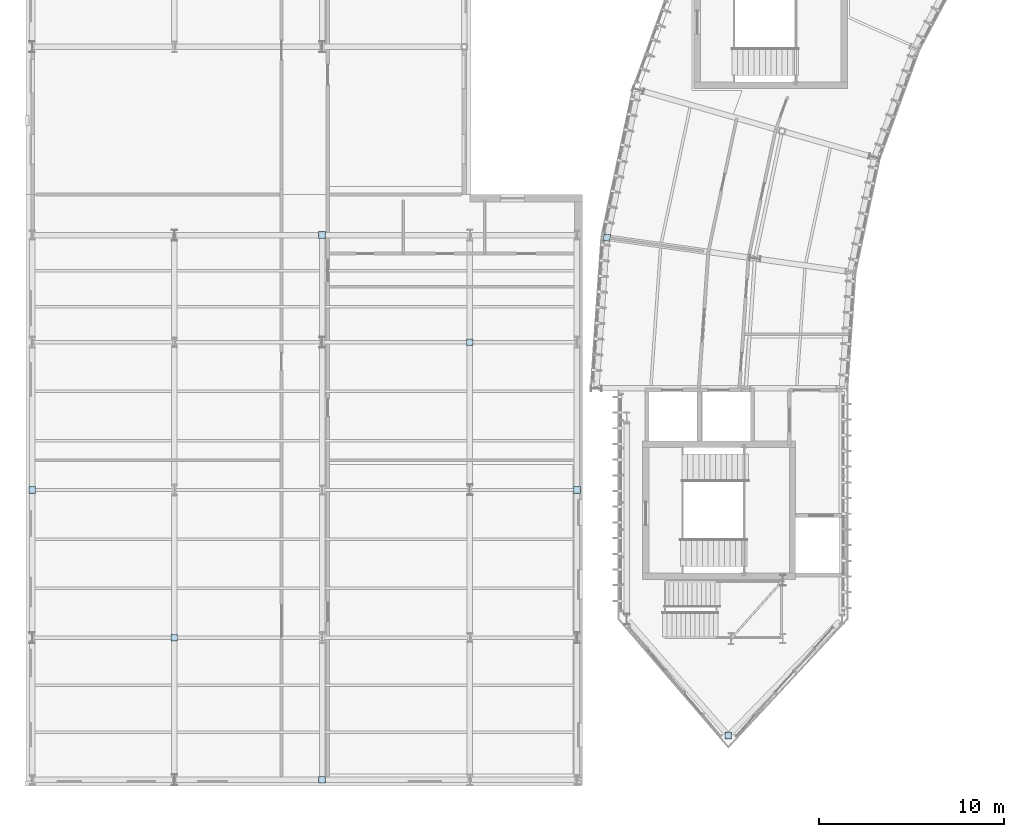
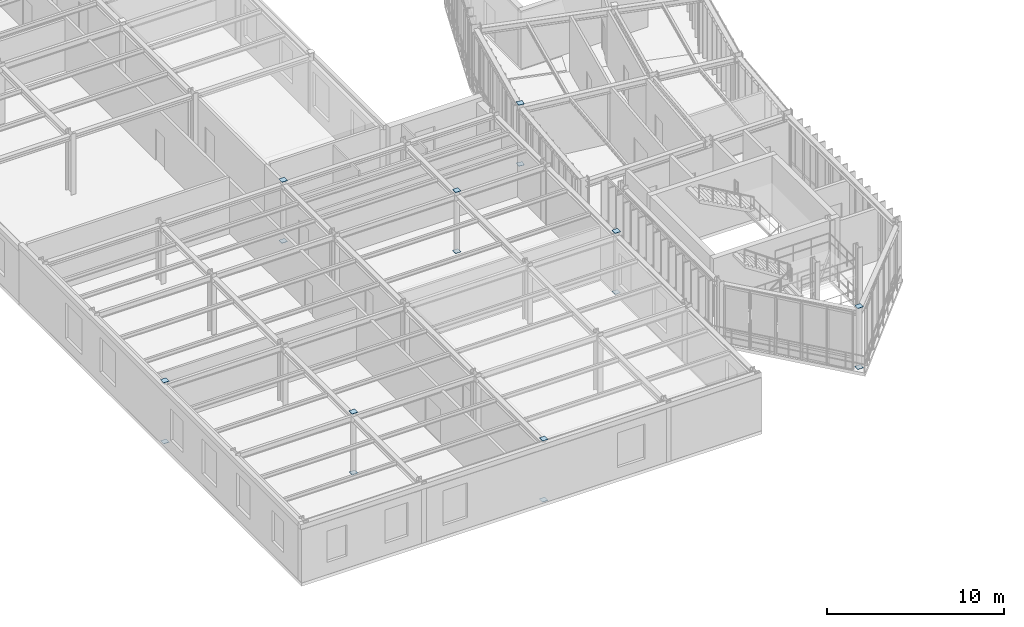
# One storey, part 106 of 148: 16 plates.
"""IFC4 building model written with IfcOpenShell, lengths in metres."""

from ifc_helpers import new_model, si_unit, direction, frame, origin, origin_2d, place, context, subcontext, project, spatial, rectangle, extrude, material, layer, layer_set, type_object, element, save


model = new_model("IFC4")

# Units and contexts
model_context = context("Model", 3, precision=1e-05, world=origin(), true_north=direction((0.0, 1.0)))
body_context = subcontext(model_context, "Body", "Model", "MODEL_VIEW")
ifc_project = project(units=[si_unit("LENGTHUNIT", "METRE"), si_unit("AREAUNIT", "SQUARE_METRE"), si_unit("VOLUMEUNIT", "CUBIC_METRE"), si_unit("PLANEANGLEUNIT", "RADIAN"), si_unit("MASSUNIT", "GRAM", prefix="KILO"), si_unit("THERMODYNAMICTEMPERATUREUNIT", "KELVIN"), si_unit("POWERUNIT", "WATT")], contexts=[model_context])

# Site, building, storey
site_placement = place(None, origin())
site = spatial("IfcSite", under=ifc_project, at=site_placement, CompositionType="ELEMENT")
building_placement = place(site_placement, origin())
building = spatial("IfcBuilding", under=site, at=building_placement, Name="Solvatero Civic Police Headquarters", CompositionType="ELEMENT")
storey_placement = place(building_placement, frame((0.0, 0.0, 5.10009765625)))
storey = spatial("IfcBuildingStorey", under=building, at=storey_placement, Name="L01", CompositionType="ELEMENT", Elevation=5.10009765625)

# Plates
ifc_material = material(Name="Steel S355", Category="steel")
ifc_layer = layer(ifc_material, 0.02001953125)
ifc_layer_set = layer_set([ifc_layer], Name="Steel S355")
plate_type = type_object("IfcPlateType", Name="PLT-CAP-20", PredefinedType="SHEET", material=ifc_layer_set)
for number, where, z_axis, x_axis, name in (
    (1, (35.9208984375, 34.16259765625, 4.199951171875), (0.0, 0.0, 1.0), (0.13917310096, 0.990268068742, 0.0), "Hollow Section End Cap Plate 0035"),
    (2, (35.9208984375, 34.16259765625, -0.02001953125), (0.0, 0.0, 1.0), (0.13917310096, 0.990268068742, 0.0), "Hollow Section End Cap Plate 0036"),
    (3, (42.5, 7.199951171875, 4.199951171875), (0.0, 0.0, 1.0), (1.0, 0.0, 0.0), "Hollow Section End Cap Plate 0041"),
    (4, (42.5, 7.199951171875, -0.02001953125), (0.0, 0.0, 1.0), (1.0, 0.0, 0.0), "Hollow Section End Cap Plate 0042"),
    (5, (4.800048828125, 20.5, 4.199951171875), (0.0, 0.0, 1.0), (1.0, 0.0, 0.0), "Hollow Section End Cap Plate 0085"),
    (6, (4.800048828125, 20.5, -0.02001953125), (0.0, 0.0, 1.0), (1.0, 0.0, 0.0), "Hollow Section End Cap Plate 0086"),
    (7, (12.5, 12.5, 4.199951171875), (0.0, 0.0, 1.0), (1.0, 0.0, 0.0), "Hollow Section End Cap Plate 0091"),
    (8, (12.5, 12.5, -0.02001953125), (0.0, 0.0, 1.0), (1.0, 0.0, 0.0), "Hollow Section End Cap Plate 0092"),
    (9, (20.5, 4.800048828125, 4.199951171875), (0.0, 0.0, 1.0), (1.0, 0.0, 0.0), "Hollow Section End Cap Plate 0095"),
    (10, (20.5, 4.800048828125, -0.02001953125), (0.0, 0.0, 1.0), (1.0, 0.0, 0.0), "Hollow Section End Cap Plate 0096"),
    (11, (20.5, 34.300048828125, 4.199951171875), (0.0, 0.0, 1.0), (1.0, 0.0, 0.0), "Hollow Section End Cap Plate 0099"),
    (12, (20.5, 34.300048828125, -0.02001953125), (0.0, 0.0, 1.0), (1.0, 0.0, 0.0), "Hollow Section End Cap Plate 0100"),
    (13, (28.5, 28.5, 4.199951171875), (0.0, 0.0, 1.0), (1.0, 0.0, 0.0), "Hollow Section End Cap Plate 0103"),
    (14, (28.5, 28.5, -0.02001953125), (0.0, 0.0, 1.0), (1.0, 0.0, 0.0), "Hollow Section End Cap Plate 0104"),
    (15, (34.300048828125, 20.5, 4.199951171875), (0.0, 0.0, 1.0), (1.0, 0.0, 0.0), "Hollow Section End Cap Plate 0105"),
    (16, (34.300048828125, 20.5, -0.02001953125), (0.0, 0.0, 1.0), (1.0, 0.0, 0.0), "Hollow Section End Cap Plate 0106"),
):
    element("IfcPlate", number, at=place(storey_placement, frame(where, z_axis=z_axis, x_axis=x_axis)), inside=storey, type_object=plate_type, Name=name, PredefinedType="SHEET", context=body_context, shape_type="SweptSolid", body=[
        extrude(rectangle(XDim=0.364013671875, YDim=0.364013671875, at=origin_2d()), origin(), (0.0, 0.0, 1.0), 0.02001953125),
    ])

save(model, "model.ifc")
